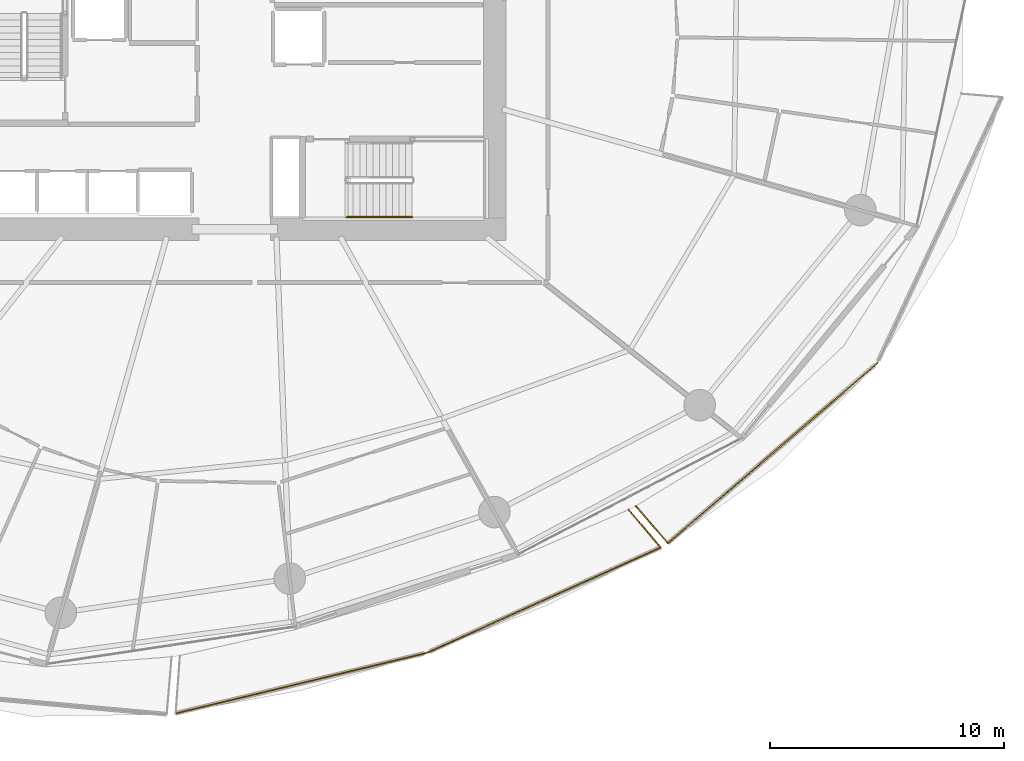
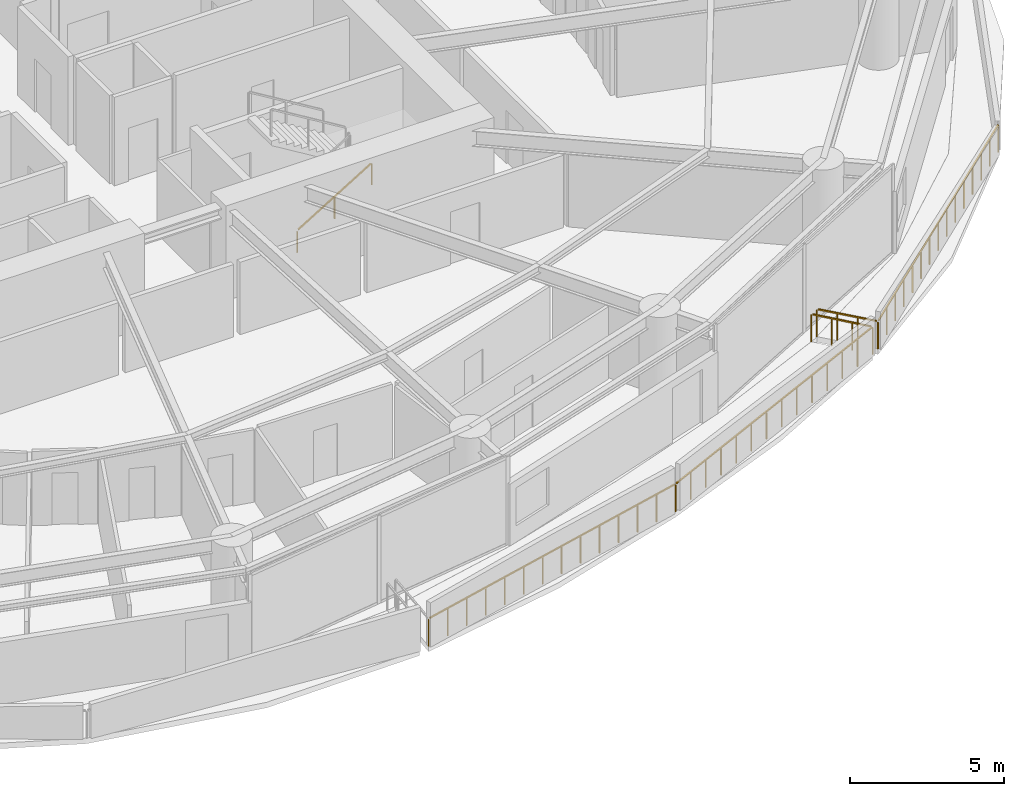
# One storey, part 27 of 31: 6 railings.
"""IFC4 building model written with IfcOpenShell, lengths in metres."""

from ifc_helpers import new_model, si_unit, direction, frame, origin, origin_2d, place, context, subcontext, project, spatial, rectangle, extrude, material, type_object, element, save


model = new_model("IFC4")

# Units and contexts
model_context = context("Model", 3, precision=1e-05, world=origin(), true_north=direction((0.0, 1.0)))
body_context = subcontext(model_context, "Body", "Model", "MODEL_VIEW")
ifc_project = project(units=[si_unit("LENGTHUNIT", "METRE"), si_unit("AREAUNIT", "SQUARE_METRE"), si_unit("VOLUMEUNIT", "CUBIC_METRE"), si_unit("PLANEANGLEUNIT", "RADIAN"), si_unit("MASSUNIT", "GRAM", prefix="KILO")], contexts=[model_context])

# Site, building, storey
site_placement = place(None, origin())
site = spatial("IfcSite", under=ifc_project, at=site_placement, CompositionType="ELEMENT")
building_placement = place(site_placement, origin())
building = spatial("IfcBuilding", under=site, at=building_placement, Name="Kazma Halo Residences", CompositionType="ELEMENT")
storey_placement = place(building_placement, frame((0.0, 0.0, 45.14990234375)))
storey = spatial("IfcBuildingStorey", under=building, at=storey_placement, Name="L10", CompositionType="ELEMENT", Elevation=45.14990234375)

# Railings
ifc_material_1 = material(Name="Aluminium AW-6063 T6 Brushed Cap Rail", Category="aluminium")
railing_type_1 = type_object("IfcRailingType", Name="RLG-BAL-CAP-1120", PredefinedType="BALUSTRADE", material=ifc_material_1)
railing_1_placement = place(storey_placement, frame((45.884765625, 12.8466796875, 0.0)))
element("IfcRailing", 1, at=railing_1_placement, inside=storey, type_object=railing_type_1, Name="L10 SSE wave balcony guard 2", PredefinedType="BALUSTRADE", context=body_context, shape_type="SweptSolid", body=[
    extrude(rectangle(XDim=0.050048828125, YDim=0.050048828125, at=origin_2d()), frame((0.041259765625, 0.010009765625, 1.09521484375), z_axis=(0.972166742851, 0.234290042669, 0.0), x_axis=(-0.234290042669, 0.972166742851, 0.0)), (0.0, 0.0, 1.0), 10.968994140625),
    extrude(rectangle(XDim=0.0400390625, YDim=0.0400390625, at=origin_2d()), origin(), (0.0, 0.0, 1.0), 1.05810546875),
    extrude(rectangle(XDim=0.0400390625, YDim=0.0400390625, at=origin_2d()), frame((0.82666015625, 0.19921875, 0.0)), (0.0, 0.0, 1.0), 1.05810546875),
    extrude(rectangle(XDim=0.0400390625, YDim=0.0400390625, at=origin_2d()), frame((1.6533203125, 0.3984375, 0.0)), (0.0, 0.0, 1.0), 1.05810546875),
    extrude(rectangle(XDim=0.0400390625, YDim=0.0400390625, at=origin_2d()), frame((2.47998046875, 0.59765625, 0.0)), (0.0, 0.0, 1.0), 1.05810546875),
    extrude(rectangle(XDim=0.0400390625, YDim=0.0400390625, at=origin_2d()), frame((3.306640625, 0.796875, 0.0)), (0.0, 0.0, 1.0), 1.05810546875),
    extrude(rectangle(XDim=0.0400390625, YDim=0.0400390625, at=origin_2d()), frame((4.13330078125, 0.99609375, 0.0)), (0.0, 0.0, 1.0), 1.05810546875),
    extrude(rectangle(XDim=0.0400390625, YDim=0.0400390625, at=origin_2d()), frame((4.9599609375, 1.1953125, 0.0)), (0.0, 0.0, 1.0), 1.05810546875),
    extrude(rectangle(XDim=0.0400390625, YDim=0.0400390625, at=origin_2d()), frame((5.786376953125, 1.39453125, 0.0)), (0.0, 0.0, 1.0), 1.05810546875),
    extrude(rectangle(XDim=0.0400390625, YDim=0.0400390625, at=origin_2d()), frame((6.613037109375, 1.59375, 0.0)), (0.0, 0.0, 1.0), 1.05810546875),
    extrude(rectangle(XDim=0.0400390625, YDim=0.0400390625, at=origin_2d()), frame((7.439697265625, 1.79296875, 0.0)), (0.0, 0.0, 1.0), 1.05810546875),
    extrude(rectangle(XDim=0.0400390625, YDim=0.0400390625, at=origin_2d()), frame((8.266357421875, 1.9921875, 0.0)), (0.0, 0.0, 1.0), 1.05810546875),
    extrude(rectangle(XDim=0.0400390625, YDim=0.0400390625, at=origin_2d()), frame((9.093017578125, 2.19140625, 0.0)), (0.0, 0.0, 1.0), 1.05810546875),
    extrude(rectangle(XDim=0.0400390625, YDim=0.0400390625, at=origin_2d()), frame((9.919677734375, 2.390625, 0.0)), (0.0, 0.0, 1.0), 1.05810546875),
    extrude(rectangle(XDim=0.0400390625, YDim=0.0400390625, at=origin_2d()), frame((10.746337890625, 2.58984375, 0.0)), (0.0, 0.0, 1.0), 1.05810546875),
])
railing_2_placement = place(storey_placement, frame((56.631103515625, 15.4365234375, 0.0)))
element("IfcRailing", 2, at=railing_2_placement, inside=storey, type_object=railing_type_1, Name="L10 SSE wave balcony guard 3", PredefinedType="BALUSTRADE", context=body_context, shape_type="SweptSolid", body=[
    extrude(rectangle(XDim=0.050048828125, YDim=0.050048828125, at=origin_2d()), frame((0.038818359375, 0.017578125, 1.09521484375), z_axis=(0.911628372298, 0.411015462996, 0.0), x_axis=(-0.411015462996, 0.911628372298, 0.0)), (0.0, 0.0, 1.0), 10.863525390625),
    extrude(rectangle(XDim=0.0400390625, YDim=0.0400390625, at=origin_2d()), origin(), (0.0, 0.0, 1.0), 1.05810546875),
    extrude(rectangle(XDim=0.0400390625, YDim=0.0400390625, at=origin_2d()), frame((0.767822265625, 0.34619140625, 0.0)), (0.0, 0.0, 1.0), 1.05810546875),
    extrude(rectangle(XDim=0.0400390625, YDim=0.0400390625, at=origin_2d()), frame((1.53564453125, 0.6923828125, 0.0)), (0.0, 0.0, 1.0), 1.05810546875),
    extrude(rectangle(XDim=0.0400390625, YDim=0.0400390625, at=origin_2d()), frame((2.30322265625, 1.03857421875, 0.0)), (0.0, 0.0, 1.0), 1.05810546875),
    extrude(rectangle(XDim=0.0400390625, YDim=0.0400390625, at=origin_2d()), frame((3.071044921875, 1.384521484375, 0.0)), (0.0, 0.0, 1.0), 1.05810546875),
    extrude(rectangle(XDim=0.0400390625, YDim=0.0400390625, at=origin_2d()), frame((3.8388671875, 1.730712890625, 0.0)), (0.0, 0.0, 1.0), 1.05810546875),
    extrude(rectangle(XDim=0.0400390625, YDim=0.0400390625, at=origin_2d()), frame((4.606689453125, 2.076904296875, 0.0)), (0.0, 0.0, 1.0), 1.05810546875),
    extrude(rectangle(XDim=0.0400390625, YDim=0.0400390625, at=origin_2d()), frame((5.374267578125, 2.423095703125, 0.0)), (0.0, 0.0, 1.0), 1.05810546875),
    extrude(rectangle(XDim=0.0400390625, YDim=0.0400390625, at=origin_2d()), frame((6.14208984375, 2.769287109375, 0.0)), (0.0, 0.0, 1.0), 1.05810546875),
    extrude(rectangle(XDim=0.0400390625, YDim=0.0400390625, at=origin_2d()), frame((6.909912109375, 3.115478515625, 0.0)), (0.0, 0.0, 1.0), 1.05810546875),
    extrude(rectangle(XDim=0.0400390625, YDim=0.0400390625, at=origin_2d()), frame((7.677734375, 3.46142578125, 0.0)), (0.0, 0.0, 1.0), 1.05810546875),
    extrude(rectangle(XDim=0.0400390625, YDim=0.0400390625, at=origin_2d()), frame((8.4453125, 3.8076171875, 0.0)), (0.0, 0.0, 1.0), 1.05810546875),
    extrude(rectangle(XDim=0.0400390625, YDim=0.0400390625, at=origin_2d()), frame((9.213134765625, 4.15380859375, 0.0)), (0.0, 0.0, 1.0), 1.05810546875),
    extrude(rectangle(XDim=0.0400390625, YDim=0.0400390625, at=origin_2d()), frame((9.98095703125, 4.5, 0.0)), (0.0, 0.0, 1.0), 1.05810546875),
])
railing_3_placement = place(storey_placement, frame((66.612060546875, 19.9365234375, 0.0)))
element("IfcRailing", 3, at=railing_3_placement, inside=storey, type_object=railing_type_1, Name="L10 SSE wave balcony guard 4", PredefinedType="BALUSTRADE", context=body_context, shape_type="SweptSolid", body=[
    extrude(rectangle(XDim=0.050048828125, YDim=0.050048828125, at=origin_2d()), frame((-0.02734375, 0.032470703125, 1.09521484375), z_axis=(-0.644782437668, 0.764366147912, 0.0), x_axis=(-0.764366147912, -0.644782437668, 0.0)), (0.0, 0.0, 1.0), 2.030029296875),
    extrude(rectangle(XDim=0.0400390625, YDim=0.0400390625, at=origin_2d()), origin(), (0.0, 0.0, 1.0), 1.05810546875),
    extrude(rectangle(XDim=0.0400390625, YDim=0.0400390625, at=origin_2d()), frame((-0.45458984375, 0.538818359375, 0.0)), (0.0, 0.0, 1.0), 1.05810546875),
    extrude(rectangle(XDim=0.0400390625, YDim=0.0400390625, at=origin_2d()), frame((-0.9091796875, 1.077880859375, 0.0)), (0.0, 0.0, 1.0), 1.05810546875),
    extrude(rectangle(XDim=0.0400390625, YDim=0.0400390625, at=origin_2d()), frame((-1.36376953125, 1.61669921875, 0.0)), (0.0, 0.0, 1.0), 1.05810546875),
])
railing_4_placement = place(storey_placement, frame((65.546142578125, 21.70849609375, 0.0)))
element("IfcRailing", 4, at=railing_4_placement, inside=storey, type_object=railing_type_1, Name="L10 SE wave balcony guard 1", PredefinedType="BALUSTRADE", context=body_context, shape_type="SweptSolid", body=[
    extrude(rectangle(XDim=0.050048828125, YDim=0.050048828125, at=origin_2d()), frame((0.02783203125, -0.0322265625, 1.09521484375), z_axis=(0.654010002836, -0.756485899532, 0.0), x_axis=(0.756485899532, 0.654010002836, 0.0)), (0.0, 0.0, 1.0), 2.01611328125),
    extrude(rectangle(XDim=0.0400390625, YDim=0.0400390625, at=origin_2d()), origin(), (0.0, 0.0, 1.0), 1.05810546875),
    extrude(rectangle(XDim=0.0400390625, YDim=0.0400390625, at=origin_2d()), frame((0.4580078125, -0.52978515625, 0.0)), (0.0, 0.0, 1.0), 1.05810546875),
    extrude(rectangle(XDim=0.0400390625, YDim=0.0400390625, at=origin_2d()), frame((0.916259765625, -1.059814453125, 0.0)), (0.0, 0.0, 1.0), 1.05810546875),
    extrude(rectangle(XDim=0.0400390625, YDim=0.0400390625, at=origin_2d()), frame((1.374267578125, -1.589599609375, 0.0)), (0.0, 0.0, 1.0), 1.05810546875),
])
railing_5_placement = place(storey_placement, frame((66.92041015625, 20.118896484375, 0.0)))
element("IfcRailing", 5, at=railing_5_placement, inside=storey, type_object=railing_type_1, Name="L10 SE wave balcony guard 2", PredefinedType="BALUSTRADE", context=body_context, shape_type="SweptSolid", body=[
    extrude(rectangle(XDim=0.050048828125, YDim=0.050048828125, at=origin_2d()), frame((0.0322265625, 0.02783203125, 1.09521484375), z_axis=(0.758358383102, 0.651837834725, 0.0), x_axis=(-0.651837834725, 0.758358383102, 0.0)), (0.0, 0.0, 1.0), 11.704833984375),
    extrude(rectangle(XDim=0.0400390625, YDim=0.0400390625, at=origin_2d()), origin(), (0.0, 0.0, 1.0), 1.05810546875),
    extrude(rectangle(XDim=0.0400390625, YDim=0.0400390625, at=origin_2d()), frame((0.638671875, 0.548828125, 0.0)), (0.0, 0.0, 1.0), 1.05810546875),
    extrude(rectangle(XDim=0.0400390625, YDim=0.0400390625, at=origin_2d()), frame((1.27734375, 1.097900390625, 0.0)), (0.0, 0.0, 1.0), 1.05810546875),
    extrude(rectangle(XDim=0.0400390625, YDim=0.0400390625, at=origin_2d()), frame((1.916015625, 1.646728515625, 0.0)), (0.0, 0.0, 1.0), 1.05810546875),
    extrude(rectangle(XDim=0.0400390625, YDim=0.0400390625, at=origin_2d()), frame((2.554443359375, 2.19580078125, 0.0)), (0.0, 0.0, 1.0), 1.05810546875),
    extrude(rectangle(XDim=0.0400390625, YDim=0.0400390625, at=origin_2d()), frame((3.193115234375, 2.74462890625, 0.0)), (0.0, 0.0, 1.0), 1.05810546875),
    extrude(rectangle(XDim=0.0400390625, YDim=0.0400390625, at=origin_2d()), frame((3.831787109375, 3.293701171875, 0.0)), (0.0, 0.0, 1.0), 1.05810546875),
    extrude(rectangle(XDim=0.0400390625, YDim=0.0400390625, at=origin_2d()), frame((4.470458984375, 3.842529296875, 0.0)), (0.0, 0.0, 1.0), 1.05810546875),
    extrude(rectangle(XDim=0.0400390625, YDim=0.0400390625, at=origin_2d()), frame((5.109130859375, 4.391357421875, 0.0)), (0.0, 0.0, 1.0), 1.05810546875),
    extrude(rectangle(XDim=0.0400390625, YDim=0.0400390625, at=origin_2d()), frame((5.747802734375, 4.9404296875, 0.0)), (0.0, 0.0, 1.0), 1.05810546875),
    extrude(rectangle(XDim=0.0400390625, YDim=0.0400390625, at=origin_2d()), frame((6.386474609375, 5.4892578125, 0.0)), (0.0, 0.0, 1.0), 1.05810546875),
    extrude(rectangle(XDim=0.0400390625, YDim=0.0400390625, at=origin_2d()), frame((7.02490234375, 6.038330078125, 0.0)), (0.0, 0.0, 1.0), 1.05810546875),
    extrude(rectangle(XDim=0.0400390625, YDim=0.0400390625, at=origin_2d()), frame((7.66357421875, 6.587158203125, 0.0)), (0.0, 0.0, 1.0), 1.05810546875),
    extrude(rectangle(XDim=0.0400390625, YDim=0.0400390625, at=origin_2d()), frame((8.30224609375, 7.13623046875, 0.0)), (0.0, 0.0, 1.0), 1.05810546875),
    extrude(rectangle(XDim=0.0400390625, YDim=0.0400390625, at=origin_2d()), frame((8.94091796875, 7.68505859375, 0.0)), (0.0, 0.0, 1.0), 1.05810546875),
])
ifc_material_2 = material(Name="Brushed Stainless Steel", Category="steel")
railing_type_2 = type_object("IfcRailingType", Name="RLG-STAIR-HND-900", PredefinedType="HANDRAIL", material=ifc_material_2)
railing_6_placement = place(storey_placement, frame((53.199951171875, 34.050048828125, 0.170654296875)))
element("IfcRailing", 6, at=railing_6_placement, inside=storey, type_object=railing_type_2, Name="L10 ST-03 stair handrail 1", PredefinedType="HANDRAIL", context=body_context, shape_type="SweptSolid", body=[
    extrude(rectangle(XDim=0.050048828125, YDim=0.050048828125, at=origin_2d()), frame((0.036376953125, 0.0, 0.89697265625), z_axis=(0.854202870247, 0.0, 0.519939858505), x_axis=(0.0, 1.0, 0.0)), (0.0, 0.0, 1.0), 3.19287109375),
    extrude(rectangle(XDim=0.0400390625, YDim=0.0400390625, at=origin_2d()), origin(), (0.0, 0.0, 1.0), 0.837890625),
    extrude(rectangle(XDim=0.0400390625, YDim=0.0400390625, at=origin_2d()), frame((1.39990234375, 0.0, 0.85205078125)), (0.0, 0.0, 1.0), 0.837890625),
    extrude(rectangle(XDim=0.0400390625, YDim=0.0400390625, at=origin_2d()), frame((2.800048828125, 0.0, 1.704345703125)), (0.0, 0.0, 1.0), 0.837890625),
])

save(model, "model.ifc")
